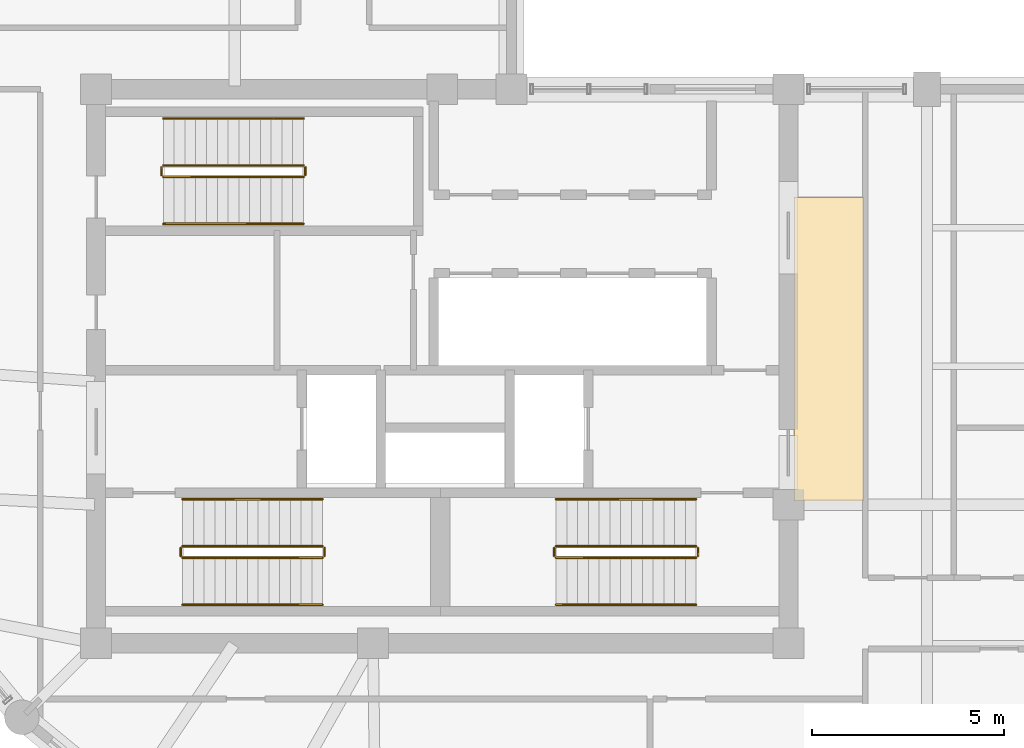
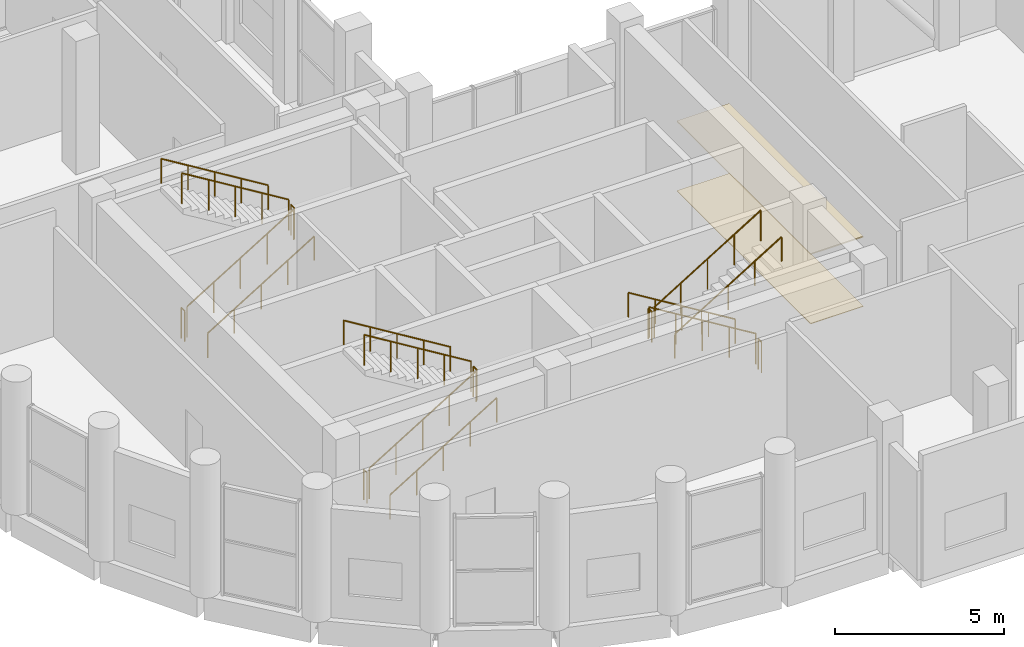
# One storey, part 16 of 16: 18 railings, 2 coverings.
"""IFC4 building model written with IfcOpenShell, lengths in metres."""

from ifc_helpers import new_model, si_unit, direction, frame, origin, origin_2d, place, context, subcontext, project, spatial, polyline, circle, outline, extrude, material, layer, layer_set, type_object, element, save


model = new_model("IFC4")

# Units and contexts
model_context = context("Model", 3, precision=1e-05, world=origin(), true_north=direction((0.0, 1.0)))
body_context = subcontext(model_context, "Body", "Model", "MODEL_VIEW")
ifc_project = project(units=[si_unit("LENGTHUNIT", "METRE"), si_unit("AREAUNIT", "SQUARE_METRE"), si_unit("VOLUMEUNIT", "CUBIC_METRE"), si_unit("PLANEANGLEUNIT", "RADIAN"), si_unit("MASSUNIT", "GRAM", prefix="KILO")], contexts=[model_context])

# Site, building, storey
site_placement = place(None, origin())
site = spatial("IfcSite", under=ifc_project, at=site_placement, CompositionType="ELEMENT")
building_placement = place(site_placement, origin())
building = spatial("IfcBuilding", under=site, at=building_placement, Name="Solnavia Interchange Tower", CompositionType="ELEMENT")
storey_placement = place(building_placement, frame((0.0, 0.0, 209.0)))
storey = spatial("IfcBuildingStorey", under=building, at=storey_placement, Name="L52", CompositionType="ELEMENT", Elevation=209.0)

# Coverings
ifc_material_1 = material(Name="Perforated Mineral-Fibre & Gypsum Ceiling", Category="gypsum")
ifc_layer_1 = layer(ifc_material_1, 0.0400390625)
ifc_layer_set_1 = layer_set([ifc_layer_1], Name="Perforated Mineral-Fibre & Gypsum Ceiling")
covering_type_1 = type_object("IfcCoveringType", Name="Covering-Ceiling-Acoustic40", PredefinedType="CEILING", material=ifc_layer_set_1)
covering_1_placement = place(storey_placement, frame((0.0, 0.0, 2.5)))
element("IfcCovering", 1, at=covering_1_placement, inside=storey, type_object=covering_type_1, Name="CLG-L52-01 Circulation suspended acoustic ceiling", PredefinedType="CEILING", context=body_context, shape_type="SweptSolid", body=[
    extrude(outline(polyline([(32.550048828125, 14.5), (34.35009765625, 14.5), (34.35009765625, 22.39990234375), (32.550048828125, 22.39990234375), (32.550048828125, 14.5)])), origin(), (0.0, 0.0, 1.0), 0.0400390625),
])
ifc_material_2 = material(Name="Engineered European Oak Flooring", Category="wood")
ifc_layer_2 = layer(ifc_material_2, 0.02001953125)
ifc_layer_set_2 = layer_set([ifc_layer_2], Name="Engineered European Oak Flooring")
covering_type_2 = type_object("IfcCoveringType", Name="Covering-Flooring-Timber20", PredefinedType="FLOORING", material=ifc_layer_set_2)
covering_2_placement = place(storey_placement, origin())
element("IfcCovering", 2, at=covering_2_placement, inside=storey, type_object=covering_type_2, Name="FLR-L52-01 Circulation floor finish", PredefinedType="FLOORING", context=body_context, shape_type="SweptSolid", body=[
    extrude(outline(polyline([(32.550048828125, 14.5), (34.35009765625, 14.5), (34.35009765625, 22.39990234375), (32.550048828125, 22.39990234375), (32.550048828125, 14.5)])), origin(), (0.0, 0.0, 1.0), 0.02001953125),
])

# Railings
ifc_material_3 = material(Name="Painted Steel Balustrade", Category="steel")
railing_type_1 = type_object("IfcRailingType", Name="Railing-StairGuard-1100", PredefinedType="GUARDRAIL", material=ifc_material_3)
railing_1_placement = place(storey_placement, frame((16.64990234375, 13.02001953125, 0.17138671875)))
element("IfcRailing", 3, at=railing_1_placement, inside=storey, type_object=railing_type_1, Name="L52 ST-1 stair guard 1", PredefinedType="GUARDRAIL", context=body_context, shape_type="SweptSolid", body=[
    extrude(circle(Radius=0.02392578125, at=origin_2d()), frame((0.0, 0.0, 1.09619140625), z_axis=(0.852865859571, 0.0, 0.52213008492), x_axis=(0.0, 1.0, 0.0)), (0.0, 0.0, 1.0), 4.26806640625),
    extrude(circle(Radius=0.02099609375, at=origin_2d()), origin(), (0.0, 0.0, 1.0), 1.072021484375),
    extrude(circle(Radius=0.02099609375, at=origin_2d()), frame((0.91015625, 0.0, 0.55712890625)), (0.0, 0.0, 1.0), 1.072021484375),
    extrude(circle(Radius=0.02099609375, at=origin_2d()), frame((1.820068359375, 0.0, 1.1142578125)), (0.0, 0.0, 1.0), 1.072021484375),
    extrude(circle(Radius=0.02099609375, at=origin_2d()), frame((2.72998046875, 0.0, 1.67138671875)), (0.0, 0.0, 1.0), 1.072021484375),
    extrude(circle(Radius=0.02099609375, at=origin_2d()), frame((3.64013671875, 0.0, 2.228515625)), (0.0, 0.0, 1.0), 1.072021484375),
])
railing_2_placement = place(storey_placement, frame((20.340087890625, 13.070068359375, 2.39990234375)))
element("IfcRailing", 4, at=railing_2_placement, inside=storey, type_object=railing_type_1, Name="L52 ST-1 stair guard 2", PredefinedType="GUARDRAIL", context=body_context, shape_type="SweptSolid", body=[
    extrude(circle(Radius=0.02392578125, at=origin_2d()), frame((0.0, 0.0, 1.09619140625), z_axis=(0.0, 1.0, 0.0), x_axis=(-1.0, 0.0, 0.0)), (0.0, 0.0, 1.0), 0.199951171875),
    extrude(circle(Radius=0.02099609375, at=origin_2d()), origin(), (0.0, 0.0, 1.0), 1.072021484375),
    extrude(circle(Radius=0.02099609375, at=origin_2d()), frame((0.0, 0.199951171875, 0.0)), (0.0, 0.0, 1.0), 1.072021484375),
])
railing_3_placement = place(storey_placement, frame((20.2900390625, 13.320068359375, 2.571533203125)))
element("IfcRailing", 5, at=railing_3_placement, inside=storey, type_object=railing_type_1, Name="L52 ST-1 stair guard 3", PredefinedType="GUARDRAIL", context=body_context, shape_type="SweptSolid", body=[
    extrude(circle(Radius=0.02392578125, at=origin_2d()), frame((0.0, 0.0, 1.09619140625), z_axis=(-0.852865859571, 0.0, 0.52213008492), x_axis=(0.0, -1.0, 0.0)), (0.0, 0.0, 1.0), 4.26806640625),
    extrude(circle(Radius=0.02099609375, at=origin_2d()), origin(), (0.0, 0.0, 1.0), 1.072021484375),
    extrude(circle(Radius=0.02099609375, at=origin_2d()), frame((-0.91015625, 0.0, 0.55712890625)), (0.0, 0.0, 1.0), 1.072021484375),
    extrude(circle(Radius=0.02099609375, at=origin_2d()), frame((-1.820068359375, 0.0, 1.1142578125)), (0.0, 0.0, 1.0), 1.072021484375),
    extrude(circle(Radius=0.02099609375, at=origin_2d()), frame((-2.72998046875, 0.0, 1.67138671875)), (0.0, 0.0, 1.0), 1.072021484375),
    extrude(circle(Radius=0.02099609375, at=origin_2d()), frame((-3.64013671875, 0.0, 2.228515625)), (0.0, 0.0, 1.0), 1.072021484375),
])
railing_4_placement = place(storey_placement, frame((16.60009765625, 13.070068359375, 0.0)))
element("IfcRailing", 6, at=railing_4_placement, inside=storey, type_object=railing_type_1, Name="L52 ST-1 stair guard 4", PredefinedType="GUARDRAIL", context=body_context, shape_type="SweptSolid", body=[
    extrude(circle(Radius=0.02392578125, at=origin_2d()), frame((0.0, 0.0, 1.09619140625), z_axis=(0.0, 1.0, 0.0), x_axis=(-1.0, 0.0, 0.0)), (0.0, 0.0, 1.0), 0.199951171875),
    extrude(circle(Radius=0.02099609375, at=origin_2d()), origin(), (0.0, 0.0, 1.0), 1.072021484375),
    extrude(circle(Radius=0.02099609375, at=origin_2d()), frame((0.0, 0.199951171875, 0.0)), (0.0, 0.0, 1.0), 1.072021484375),
])
railing_5_placement = place(storey_placement, frame((30.0, 13.320068359375, 0.17138671875)))
element("IfcRailing", 7, at=railing_5_placement, inside=storey, type_object=railing_type_1, Name="L52 ST-2 stair guard 1", PredefinedType="GUARDRAIL", context=body_context, shape_type="SweptSolid", body=[
    extrude(circle(Radius=0.02392578125, at=origin_2d()), frame((0.0, 0.0, 1.09619140625), z_axis=(-0.852850264322, 0.0, 0.5221555579), x_axis=(0.0, -1.0, 0.0)), (0.0, 0.0, 1.0), 4.267822265625),
    extrude(circle(Radius=0.02099609375, at=origin_2d()), origin(), (0.0, 0.0, 1.0), 1.072021484375),
    extrude(circle(Radius=0.02099609375, at=origin_2d()), frame((-0.909912109375, 0.0, 0.55712890625)), (0.0, 0.0, 1.0), 1.072021484375),
    extrude(circle(Radius=0.02099609375, at=origin_2d()), frame((-1.81982421875, 0.0, 1.1142578125)), (0.0, 0.0, 1.0), 1.072021484375),
    extrude(circle(Radius=0.02099609375, at=origin_2d()), frame((-2.72998046875, 0.0, 1.67138671875)), (0.0, 0.0, 1.0), 1.072021484375),
    extrude(circle(Radius=0.02099609375, at=origin_2d()), frame((-3.639892578125, 0.0, 2.228515625)), (0.0, 0.0, 1.0), 1.072021484375),
])
railing_6_placement = place(storey_placement, frame((26.31005859375, 13.27001953125, 2.39990234375)))
element("IfcRailing", 8, at=railing_6_placement, inside=storey, type_object=railing_type_1, Name="L52 ST-2 stair guard 2", PredefinedType="GUARDRAIL", context=body_context, shape_type="SweptSolid", body=[
    extrude(circle(Radius=0.02392578125, at=origin_2d()), frame((0.0, 0.0, 1.09619140625), z_axis=(0.0, -1.0, 0.0), x_axis=(1.0, 0.0, 0.0)), (0.0, 0.0, 1.0), 0.199951171875),
    extrude(circle(Radius=0.02099609375, at=origin_2d()), origin(), (0.0, 0.0, 1.0), 1.072021484375),
    extrude(circle(Radius=0.02099609375, at=origin_2d()), frame((0.0, -0.199951171875, 0.0)), (0.0, 0.0, 1.0), 1.072021484375),
])
railing_7_placement = place(storey_placement, frame((26.360107421875, 13.02001953125, 2.571533203125)))
element("IfcRailing", 9, at=railing_7_placement, inside=storey, type_object=railing_type_1, Name="L52 ST-2 stair guard 3", PredefinedType="GUARDRAIL", context=body_context, shape_type="SweptSolid", body=[
    extrude(circle(Radius=0.02392578125, at=origin_2d()), frame((0.0, 0.0, 1.09619140625), z_axis=(0.852850264322, 0.0, 0.5221555579), x_axis=(0.0, 1.0, 0.0)), (0.0, 0.0, 1.0), 4.267822265625),
    extrude(circle(Radius=0.02099609375, at=origin_2d()), origin(), (0.0, 0.0, 1.0), 1.072021484375),
    extrude(circle(Radius=0.02099609375, at=origin_2d()), frame((0.909912109375, 0.0, 0.55712890625)), (0.0, 0.0, 1.0), 1.072021484375),
    extrude(circle(Radius=0.02099609375, at=origin_2d()), frame((1.81982421875, 0.0, 1.1142578125)), (0.0, 0.0, 1.0), 1.072021484375),
    extrude(circle(Radius=0.02099609375, at=origin_2d()), frame((2.72998046875, 0.0, 1.67138671875)), (0.0, 0.0, 1.0), 1.072021484375),
    extrude(circle(Radius=0.02099609375, at=origin_2d()), frame((3.639892578125, 0.0, 2.228515625)), (0.0, 0.0, 1.0), 1.072021484375),
])
railing_8_placement = place(storey_placement, frame((30.050048828125, 13.27001953125, 0.0)))
element("IfcRailing", 10, at=railing_8_placement, inside=storey, type_object=railing_type_1, Name="L52 ST-2 stair guard 4", PredefinedType="GUARDRAIL", context=body_context, shape_type="SweptSolid", body=[
    extrude(circle(Radius=0.02392578125, at=origin_2d()), frame((0.0, 0.0, 1.09619140625), z_axis=(0.0, -1.0, 0.0), x_axis=(1.0, 0.0, 0.0)), (0.0, 0.0, 1.0), 0.199951171875),
    extrude(circle(Radius=0.02099609375, at=origin_2d()), origin(), (0.0, 0.0, 1.0), 1.072021484375),
    extrude(circle(Radius=0.02099609375, at=origin_2d()), frame((0.0, -0.199951171875, 0.0)), (0.0, 0.0, 1.0), 1.072021484375),
])
railing_9_placement = place(storey_placement, frame((16.14990234375, 22.919921875, 0.17138671875)))
element("IfcRailing", 11, at=railing_9_placement, inside=storey, type_object=railing_type_1, Name="L52 ST-3 stair guard 1", PredefinedType="GUARDRAIL", context=body_context, shape_type="SweptSolid", body=[
    extrude(circle(Radius=0.02392578125, at=origin_2d()), frame((0.0, 0.0, 1.09619140625), z_axis=(0.852865859571, 0.0, 0.52213008492), x_axis=(0.0, 1.0, 0.0)), (0.0, 0.0, 1.0), 4.26806640625),
    extrude(circle(Radius=0.02099609375, at=origin_2d()), origin(), (0.0, 0.0, 1.0), 1.072021484375),
    extrude(circle(Radius=0.02099609375, at=origin_2d()), frame((0.91015625, 0.0, 0.55712890625)), (0.0, 0.0, 1.0), 1.072021484375),
    extrude(circle(Radius=0.02099609375, at=origin_2d()), frame((1.820068359375, 0.0, 1.1142578125)), (0.0, 0.0, 1.0), 1.072021484375),
    extrude(circle(Radius=0.02099609375, at=origin_2d()), frame((2.72998046875, 0.0, 1.67138671875)), (0.0, 0.0, 1.0), 1.072021484375),
    extrude(circle(Radius=0.02099609375, at=origin_2d()), frame((3.64013671875, 0.0, 2.228515625)), (0.0, 0.0, 1.0), 1.072021484375),
])
railing_10_placement = place(storey_placement, frame((19.840087890625, 22.969970703125, 2.39990234375)))
element("IfcRailing", 12, at=railing_10_placement, inside=storey, type_object=railing_type_1, Name="L52 ST-3 stair guard 2", PredefinedType="GUARDRAIL", context=body_context, shape_type="SweptSolid", body=[
    extrude(circle(Radius=0.02392578125, at=origin_2d()), frame((0.0, 0.0, 1.09619140625), z_axis=(0.0, 1.0, 0.0), x_axis=(-1.0, 0.0, 0.0)), (0.0, 0.0, 1.0), 0.199951171875),
    extrude(circle(Radius=0.02099609375, at=origin_2d()), origin(), (0.0, 0.0, 1.0), 1.072021484375),
    extrude(circle(Radius=0.02099609375, at=origin_2d()), frame((0.0, 0.199951171875, 0.0)), (0.0, 0.0, 1.0), 1.072021484375),
])
railing_11_placement = place(storey_placement, frame((19.7900390625, 23.219970703125, 2.571533203125)))
element("IfcRailing", 13, at=railing_11_placement, inside=storey, type_object=railing_type_1, Name="L52 ST-3 stair guard 3", PredefinedType="GUARDRAIL", context=body_context, shape_type="SweptSolid", body=[
    extrude(circle(Radius=0.02392578125, at=origin_2d()), frame((0.0, 0.0, 1.09619140625), z_axis=(-0.852865859571, 0.0, 0.52213008492), x_axis=(0.0, -1.0, 0.0)), (0.0, 0.0, 1.0), 4.26806640625),
    extrude(circle(Radius=0.02099609375, at=origin_2d()), origin(), (0.0, 0.0, 1.0), 1.072021484375),
    extrude(circle(Radius=0.02099609375, at=origin_2d()), frame((-0.91015625, 0.0, 0.55712890625)), (0.0, 0.0, 1.0), 1.072021484375),
    extrude(circle(Radius=0.02099609375, at=origin_2d()), frame((-1.820068359375, 0.0, 1.1142578125)), (0.0, 0.0, 1.0), 1.072021484375),
    extrude(circle(Radius=0.02099609375, at=origin_2d()), frame((-2.72998046875, 0.0, 1.67138671875)), (0.0, 0.0, 1.0), 1.072021484375),
    extrude(circle(Radius=0.02099609375, at=origin_2d()), frame((-3.64013671875, 0.0, 2.228515625)), (0.0, 0.0, 1.0), 1.072021484375),
])
railing_12_placement = place(storey_placement, frame((16.10009765625, 22.969970703125, 0.0)))
element("IfcRailing", 14, at=railing_12_placement, inside=storey, type_object=railing_type_1, Name="L52 ST-3 stair guard 4", PredefinedType="GUARDRAIL", context=body_context, shape_type="SweptSolid", body=[
    extrude(circle(Radius=0.02392578125, at=origin_2d()), frame((0.0, 0.0, 1.09619140625), z_axis=(0.0, 1.0, 0.0), x_axis=(-1.0, 0.0, 0.0)), (0.0, 0.0, 1.0), 0.199951171875),
    extrude(circle(Radius=0.02099609375, at=origin_2d()), origin(), (0.0, 0.0, 1.0), 1.072021484375),
    extrude(circle(Radius=0.02099609375, at=origin_2d()), frame((0.0, 0.199951171875, 0.0)), (0.0, 0.0, 1.0), 1.072021484375),
])
ifc_material_4 = material(Name="Brushed Stainless Steel", Category="steel")
railing_type_2 = type_object("IfcRailingType", Name="Railing-StairHandrail-900", PredefinedType="HANDRAIL", material=ifc_material_4)
railing_13_placement = place(storey_placement, frame((16.64990234375, 11.800048828125, 0.17138671875)))
element("IfcRailing", 15, at=railing_13_placement, inside=storey, type_object=railing_type_2, Name="L52 ST-1 stair handrail 1", PredefinedType="HANDRAIL", context=body_context, shape_type="SweptSolid", body=[
    extrude(circle(Radius=0.02392578125, at=origin_2d()), frame((0.0, 0.0, 0.8759765625), z_axis=(0.852865859571, 0.0, 0.52213008492), x_axis=(0.0, 1.0, 0.0)), (0.0, 0.0, 1.0), 4.26806640625),
    extrude(circle(Radius=0.02099609375, at=origin_2d()), origin(), (0.0, 0.0, 1.0), 0.851806640625),
    extrude(circle(Radius=0.02099609375, at=origin_2d()), frame((0.91015625, 0.0, 0.55712890625)), (0.0, 0.0, 1.0), 0.851806640625),
    extrude(circle(Radius=0.02099609375, at=origin_2d()), frame((1.820068359375, 0.0, 1.1142578125)), (0.0, 0.0, 1.0), 0.851806640625),
    extrude(circle(Radius=0.02099609375, at=origin_2d()), frame((2.72998046875, 0.0, 1.67138671875)), (0.0, 0.0, 1.0), 0.851806640625),
    extrude(circle(Radius=0.02099609375, at=origin_2d()), frame((3.64013671875, 0.0, 2.228515625)), (0.0, 0.0, 1.0), 0.851806640625),
])
railing_14_placement = place(storey_placement, frame((20.2900390625, 14.5400390625, 2.571533203125)))
element("IfcRailing", 16, at=railing_14_placement, inside=storey, type_object=railing_type_2, Name="L52 ST-1 stair handrail 2", PredefinedType="HANDRAIL", context=body_context, shape_type="SweptSolid", body=[
    extrude(circle(Radius=0.02392578125, at=origin_2d()), frame((0.0, 0.0, 0.8759765625), z_axis=(-0.852865859571, 0.0, 0.52213008492), x_axis=(0.0, -1.0, 0.0)), (0.0, 0.0, 1.0), 4.26806640625),
    extrude(circle(Radius=0.02099609375, at=origin_2d()), origin(), (0.0, 0.0, 1.0), 0.851806640625),
    extrude(circle(Radius=0.02099609375, at=origin_2d()), frame((-0.91015625, 0.0, 0.55712890625)), (0.0, 0.0, 1.0), 0.851806640625),
    extrude(circle(Radius=0.02099609375, at=origin_2d()), frame((-1.820068359375, 0.0, 1.1142578125)), (0.0, 0.0, 1.0), 0.851806640625),
    extrude(circle(Radius=0.02099609375, at=origin_2d()), frame((-2.72998046875, 0.0, 1.67138671875)), (0.0, 0.0, 1.0), 0.851806640625),
    extrude(circle(Radius=0.02099609375, at=origin_2d()), frame((-3.64013671875, 0.0, 2.228515625)), (0.0, 0.0, 1.0), 0.851806640625),
])
railing_15_placement = place(storey_placement, frame((30.0, 14.5400390625, 0.17138671875)))
element("IfcRailing", 17, at=railing_15_placement, inside=storey, type_object=railing_type_2, Name="L52 ST-2 stair handrail 1", PredefinedType="HANDRAIL", context=body_context, shape_type="SweptSolid", body=[
    extrude(circle(Radius=0.02392578125, at=origin_2d()), frame((0.0, 0.0, 0.8759765625), z_axis=(-0.852850264322, 0.0, 0.5221555579), x_axis=(0.0, -1.0, 0.0)), (0.0, 0.0, 1.0), 4.267822265625),
    extrude(circle(Radius=0.02099609375, at=origin_2d()), origin(), (0.0, 0.0, 1.0), 0.851806640625),
    extrude(circle(Radius=0.02099609375, at=origin_2d()), frame((-0.909912109375, 0.0, 0.55712890625)), (0.0, 0.0, 1.0), 0.851806640625),
    extrude(circle(Radius=0.02099609375, at=origin_2d()), frame((-1.81982421875, 0.0, 1.1142578125)), (0.0, 0.0, 1.0), 0.851806640625),
    extrude(circle(Radius=0.02099609375, at=origin_2d()), frame((-2.72998046875, 0.0, 1.67138671875)), (0.0, 0.0, 1.0), 0.851806640625),
    extrude(circle(Radius=0.02099609375, at=origin_2d()), frame((-3.639892578125, 0.0, 2.228515625)), (0.0, 0.0, 1.0), 0.851806640625),
])
railing_16_placement = place(storey_placement, frame((26.360107421875, 11.800048828125, 2.571533203125)))
element("IfcRailing", 18, at=railing_16_placement, inside=storey, type_object=railing_type_2, Name="L52 ST-2 stair handrail 2", PredefinedType="HANDRAIL", context=body_context, shape_type="SweptSolid", body=[
    extrude(circle(Radius=0.02392578125, at=origin_2d()), frame((0.0, 0.0, 0.8759765625), z_axis=(0.852850264322, 0.0, 0.5221555579), x_axis=(0.0, 1.0, 0.0)), (0.0, 0.0, 1.0), 4.267822265625),
    extrude(circle(Radius=0.02099609375, at=origin_2d()), origin(), (0.0, 0.0, 1.0), 0.851806640625),
    extrude(circle(Radius=0.02099609375, at=origin_2d()), frame((0.909912109375, 0.0, 0.55712890625)), (0.0, 0.0, 1.0), 0.851806640625),
    extrude(circle(Radius=0.02099609375, at=origin_2d()), frame((1.81982421875, 0.0, 1.1142578125)), (0.0, 0.0, 1.0), 0.851806640625),
    extrude(circle(Radius=0.02099609375, at=origin_2d()), frame((2.72998046875, 0.0, 1.67138671875)), (0.0, 0.0, 1.0), 0.851806640625),
    extrude(circle(Radius=0.02099609375, at=origin_2d()), frame((3.639892578125, 0.0, 2.228515625)), (0.0, 0.0, 1.0), 0.851806640625),
])
railing_17_placement = place(storey_placement, frame((16.14990234375, 21.699951171875, 0.17138671875)))
element("IfcRailing", 19, at=railing_17_placement, inside=storey, type_object=railing_type_2, Name="L52 ST-3 stair handrail 1", PredefinedType="HANDRAIL", context=body_context, shape_type="SweptSolid", body=[
    extrude(circle(Radius=0.02392578125, at=origin_2d()), frame((0.0, 0.0, 0.8759765625), z_axis=(0.852865859571, 0.0, 0.52213008492), x_axis=(0.0, 1.0, 0.0)), (0.0, 0.0, 1.0), 4.26806640625),
    extrude(circle(Radius=0.02099609375, at=origin_2d()), origin(), (0.0, 0.0, 1.0), 0.851806640625),
    extrude(circle(Radius=0.02099609375, at=origin_2d()), frame((0.91015625, 0.0, 0.55712890625)), (0.0, 0.0, 1.0), 0.851806640625),
    extrude(circle(Radius=0.02099609375, at=origin_2d()), frame((1.820068359375, 0.0, 1.1142578125)), (0.0, 0.0, 1.0), 0.851806640625),
    extrude(circle(Radius=0.02099609375, at=origin_2d()), frame((2.72998046875, 0.0, 1.67138671875)), (0.0, 0.0, 1.0), 0.851806640625),
    extrude(circle(Radius=0.02099609375, at=origin_2d()), frame((3.64013671875, 0.0, 2.228515625)), (0.0, 0.0, 1.0), 0.851806640625),
])
railing_18_placement = place(storey_placement, frame((19.7900390625, 24.43994140625, 2.571533203125)))
element("IfcRailing", 20, at=railing_18_placement, inside=storey, type_object=railing_type_2, Name="L52 ST-3 stair handrail 2", PredefinedType="HANDRAIL", context=body_context, shape_type="SweptSolid", body=[
    extrude(circle(Radius=0.02392578125, at=origin_2d()), frame((0.0, 0.0, 0.8759765625), z_axis=(-0.852865859571, 0.0, 0.52213008492), x_axis=(0.0, -1.0, 0.0)), (0.0, 0.0, 1.0), 4.26806640625),
    extrude(circle(Radius=0.02099609375, at=origin_2d()), origin(), (0.0, 0.0, 1.0), 0.851806640625),
    extrude(circle(Radius=0.02099609375, at=origin_2d()), frame((-0.91015625, 0.0, 0.55712890625)), (0.0, 0.0, 1.0), 0.851806640625),
    extrude(circle(Radius=0.02099609375, at=origin_2d()), frame((-1.820068359375, 0.0, 1.1142578125)), (0.0, 0.0, 1.0), 0.851806640625),
    extrude(circle(Radius=0.02099609375, at=origin_2d()), frame((-2.72998046875, 0.0, 1.67138671875)), (0.0, 0.0, 1.0), 0.851806640625),
    extrude(circle(Radius=0.02099609375, at=origin_2d()), frame((-3.64013671875, 0.0, 2.228515625)), (0.0, 0.0, 1.0), 0.851806640625),
])

save(model, "model.ifc")
